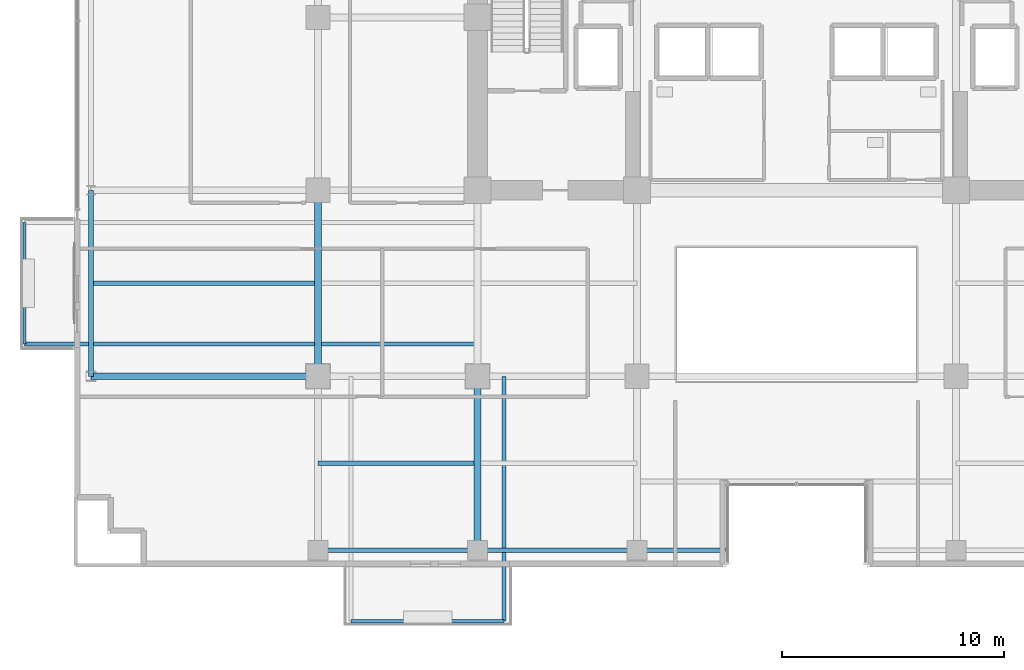
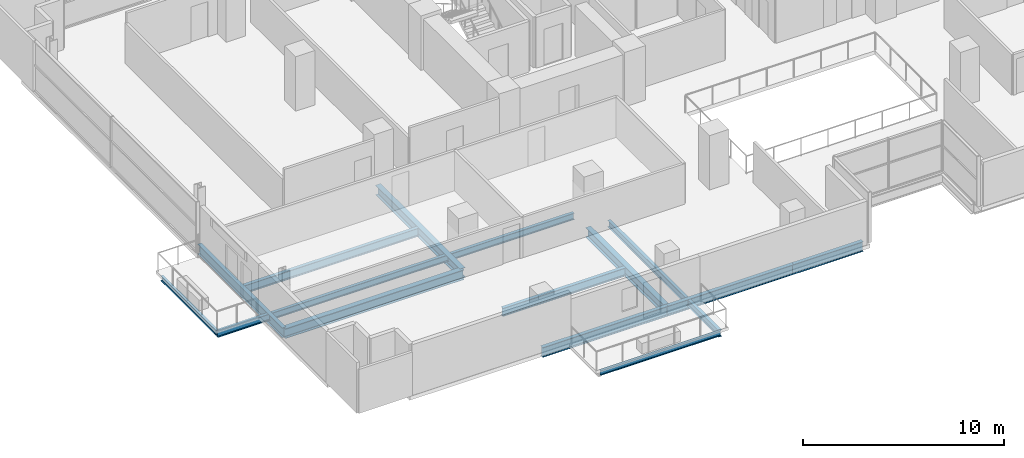
# One storey, part 2 of 30: 13 beams.
"""IFC4 building model written with IfcOpenShell, lengths in metres."""

import ifcopenshell
import ifcopenshell.guid

model = None  # the IFC model being written
_history = None  # IfcOwnerHistory: only IFC2X3 demands one
_inside = {}  # id of a spatial element -> (the spatial element, [elements in it])
_under = {}  # id of a project, library or spatial element -> (it, [spatial elements below it])
_declared = {}  # id of a project -> (the project, [libraries it declares])
_typed = {}  # id of a type object -> (the type object, [elements of that type])
_made_of = {}  # id of a material, layer set ... -> (it, [elements and type objects made of it])


def new_model(schema):
    """Start an empty IFC model of exactly this schema.

    Asked for "IFC4X3", IfcOpenShell would pick the latest addendum, in which some entities
    have other attributes; the version numbers below select the first issue.
    IFC2X3 requires an IfcOwnerHistory on every rooted entity: one is made here for all.
    """
    global model, _history
    if schema == "IFC4X3":
        model = ifcopenshell.file(schema_version=(4, 3, 0, 0))
    else:
        model = ifcopenshell.file(schema=schema)
    _inside.clear()
    _under.clear()
    _declared.clear()
    _typed.clear()
    _made_of.clear()
    _history = None
    if model.schema == "IFC2X3":
        org = make("IfcOrganization", Name="unknown")
        user = make(
            "IfcPersonAndOrganization",
            ThePerson=make("IfcPerson", FamilyName="unknown"),
            TheOrganization=org,
        )
        app = make(
            "IfcApplication",
            ApplicationDeveloper=org,
            Version="unknown",
            ApplicationFullName="unknown",
            ApplicationIdentifier="unknown",
        )
        _history = make(
            "IfcOwnerHistory",
            OwningUser=user,
            OwningApplication=app,
            ChangeAction="ADDED",
            CreationDate=0,
        )
    return model


def make(cls, **values):
    """One entity of the class cls with the attributes given. An attribute that is None is left unset."""
    return model.create_entity(
        cls, **{name: value for name, value in values.items() if value is not None}
    )


def rooted(cls, **values):
    """An entity with a GlobalId (a new one), such as an element, a storey or a relation."""
    return make(cls, GlobalId=ifcopenshell.guid.new(), OwnerHistory=_history, **values)


def si_unit(unit_type, name, prefix=None):
    """IfcSIUnit, for example si_unit("LENGTHUNIT", "METRE", prefix="MILLI")."""
    return make("IfcSIUnit", UnitType=unit_type, Prefix=prefix, Name=name)


def assignment(units):
    """IfcUnitAssignment: the units of a project."""
    return None if units is None else make("IfcUnitAssignment", Units=units)


def point(xyz):
    """IfcCartesianPoint."""
    return None if xyz is None else make("IfcCartesianPoint", Coordinates=xyz)


def direction(xyz):
    """IfcDirection."""
    return None if xyz is None else make("IfcDirection", DirectionRatios=xyz)


def frame(location, z_axis=None, x_axis=None):
    """IfcAxis2Placement3D, a coordinate frame: its origin and axes. An axis left out is left unset."""
    return make(
        "IfcAxis2Placement3D",
        Location=point(location),
        Axis=direction(z_axis),
        RefDirection=direction(x_axis),
    )


def frame_2d(location, x_axis=None):
    """IfcAxis2Placement2D, a coordinate frame in the plane: its origin and x axis."""
    return make(
        "IfcAxis2Placement2D", Location=point(location), RefDirection=direction(x_axis)
    )


def origin():
    """The frame at (0, 0, 0) with its axes left unset."""
    return frame((0.0, 0.0, 0.0))


def origin_2d():
    """The frame at (0, 0) in the plane with its x axis left unset."""
    return frame_2d((0.0, 0.0))


def place(relative_to, where):
    """IfcLocalPlacement: puts the frame where relative to a parent placement (None: the world)."""
    return make(
        "IfcLocalPlacement", PlacementRelTo=relative_to, RelativePlacement=where
    )


def context(
    kind, dimensions, precision=None, world=None, true_north=None, identifier=None
):
    """IfcGeometricRepresentationContext, for example the 3D "Model" context."""
    return make(
        "IfcGeometricRepresentationContext",
        ContextIdentifier=identifier,
        ContextType=kind,
        CoordinateSpaceDimension=dimensions,
        Precision=precision,
        WorldCoordinateSystem=world,
        TrueNorth=true_north,
    )


def subcontext(parent, identifier, kind, view, scale=None):
    """IfcGeometricRepresentationSubContext, for example "Body" below "Model"."""
    return make(
        "IfcGeometricRepresentationSubContext",
        ContextIdentifier=identifier,
        ContextType=kind,
        ParentContext=parent,
        TargetScale=scale,
        TargetView=view,
    )


def project(units=None, contexts=None):
    """IfcProject with its units and contexts."""
    return rooted(
        "IfcProject",
        Name="project",
        RepresentationContexts=contexts,
        UnitsInContext=assignment(units),
    )


def spatial(cls, under=None, at=None, **own):
    """A site, building, storey or space (cls), placed at a placement, below another one or the project."""
    s = rooted(cls, ObjectPlacement=at, **own)
    if under is not None:
        _under.setdefault(under.id(), (under, []))[1].append(s)
    return s


def profile(cls, at=None, kind="AREA", **sizes):
    """A parametric profile (cls). Its sizes go by their IFC names, for example OverallWidth=200.0."""
    return make(cls, ProfileType=kind, Position=at, **sizes)


def i_section(**sizes):
    """IfcIShapeProfileDef."""
    return profile("IfcIShapeProfileDef", **sizes)


def extrude(swept, where, along, depth):
    """IfcExtrudedAreaSolid: the profile swept, set in the frame where, extruded along a direction by depth."""
    return make(
        "IfcExtrudedAreaSolid",
        SweptArea=swept,
        Position=where,
        ExtrudedDirection=direction(along),
        Depth=depth,
    )


def shape(context_of_items, identifier, shape_type, items):
    """IfcShapeRepresentation: the items that make up one representation, for example the "Body"."""
    return make(
        "IfcShapeRepresentation",
        ContextOfItems=context_of_items,
        RepresentationIdentifier=identifier,
        RepresentationType=shape_type,
        Items=items,
    )


def material(Name=None, Category=None):
    """IfcMaterial."""
    return make("IfcMaterial", Name=Name, Category=Category)


def material_profile(
    of_material, cross_section, Name=None, Category=None, Priority=None
):
    """IfcMaterialProfile: a cross section and its material."""
    return make(
        "IfcMaterialProfile",
        Name=Name,
        Material=of_material,
        Profile=cross_section,
        Priority=Priority,
        Category=Category,
    )


def profile_set(profiles, Name=None, composite=None):
    """IfcMaterialProfileSet."""
    return make(
        "IfcMaterialProfileSet",
        Name=Name,
        MaterialProfiles=profiles,
        CompositeProfile=composite,
    )


def made_of(thing, what):
    """Note that an element or type object is made of a material, layer set ...; save() writes the relation."""
    if what is not None:
        _made_of.setdefault(what.id(), (what, []))[1].append(thing)
    return thing


def type_object(cls, material=None, **own):
    """A type object (cls), such as IfcWallType, which elements share."""
    return made_of(rooted(cls, **own), material)


def element(
    cls,
    number,
    at=None,
    inside=None,
    cuts=None,
    type_object=None,
    material=None,
    context=None,
    identifier="Body",
    shape_type=None,
    held_by="IfcProductDefinitionShape",
    body=None,
    shapes=None,
    **own,
):
    """One element of the class cls, such as IfcWall. Its Tag is "e" and its number.

    at: its placement. inside: the storey or other place that contains it. cuts: it is an
    opening in that element (IfcRelVoidsElement). A single representation is given by context,
    identifier, shape_type and body (its items); several are given by shapes. held_by: the class
    of the entity that holds the representations. save() writes the other relations.
    """
    e = rooted(cls, Tag="e%d" % number, ObjectPlacement=at, **own)
    if body is not None:
        shapes = [shape(context, identifier, shape_type, body)]
    if shapes is not None:
        e.Representation = make(held_by, Representations=shapes)
    if inside is not None:
        _inside.setdefault(inside.id(), (inside, []))[1].append(e)
    if cuts is not None:
        rooted(
            "IfcRelVoidsElement", RelatingBuildingElement=cuts, RelatedOpeningElement=e
        )
    if type_object is not None:
        _typed.setdefault(type_object.id(), (type_object, []))[1].append(e)
    return made_of(e, material)


def aggregate(whole, parts):
    """IfcRelAggregates: a whole, such as a stair, and the parts it consists of."""
    return rooted("IfcRelAggregates", RelatingObject=whole, RelatedObjects=parts)


def save(model, path):
    """Write the relations noted so far, then the file.

    IfcRelAggregates (storeys below a building ...), IfcRelContainedInSpatialStructure (elements
    in a storey), IfcRelDefinesByType, IfcRelAssociatesMaterial and IfcRelDeclares: one each for
    every whole, place, type object, material and project.
    """
    for whole, parts in _under.values():
        aggregate(whole, parts)
    for where, things in _inside.values():
        rooted(
            "IfcRelContainedInSpatialStructure",
            RelatedElements=things,
            RelatingStructure=where,
        )
    for kind, things in _typed.values():
        rooted("IfcRelDefinesByType", RelatedObjects=things, RelatingType=kind)
    for what, things in _made_of.values():
        rooted("IfcRelAssociatesMaterial", RelatedObjects=things, RelatingMaterial=what)
    for by, libraries in _declared.values():
        rooted("IfcRelDeclares", RelatingContext=by, RelatedDefinitions=libraries)
    model.write(path)


model = new_model("IFC4")

# Units and contexts
model_context = context("Model", 3, precision=1e-05, world=origin(), true_north=direction((0.0, 1.0)))
body_context = subcontext(model_context, "Body", "Model", "MODEL_VIEW")
ifc_project = project(units=[si_unit("LENGTHUNIT", "METRE"), si_unit("AREAUNIT", "SQUARE_METRE"), si_unit("VOLUMEUNIT", "CUBIC_METRE"), si_unit("PLANEANGLEUNIT", "RADIAN"), si_unit("MASSUNIT", "GRAM", prefix="KILO")], contexts=[model_context])

# Site, building, storey
site_placement = place(None, origin())
site = spatial("IfcSite", under=ifc_project, at=site_placement, CompositionType="ELEMENT")
building_placement = place(site_placement, origin())
building = spatial("IfcBuilding", under=site, at=building_placement, Name="Zarnakvel Exchange Tower", CompositionType="ELEMENT")
storey_placement = place(building_placement, frame((0.0, 0.0, 40.60009765625)))
storey = spatial("IfcBuildingStorey", under=building, at=storey_placement, Name="L10", CompositionType="ELEMENT", Elevation=40.60009765625)

# Beams
ifc_material = material(Name="Steel S355", Category="steel")
ifc_material_profile_1 = material_profile(ifc_material, i_section(OverallWidth=0.199951171875, OverallDepth=0.5, WebThickness=0.01025390625, FlangeThickness=0.01611328125, FilletRadius=0.02099609375, at=origin_2d()))
ifc_profile_set_1 = profile_set([ifc_material_profile_1], Name="Steel S355")
beam_type_1 = type_object("IfcBeamType", Name="B-04", PredefinedType="JOIST", material=ifc_profile_set_1)
beam_1_placement = place(storey_placement, frame((-21.60009765625, -13.52490234375, -0.47509765625), z_axis=(1.0, 0.0, 0.0), x_axis=(0.0, 1.0, 0.0)))
element("IfcBeam", 1, at=beam_1_placement, inside=storey, type_object=beam_type_1, Name="L10 Composite Floor Secondary Joist", PredefinedType="JOIST", context=body_context, shape_type="SweptSolid", body=[
    extrude(i_section(OverallWidth=0.199951171875, OverallDepth=0.5, WebThickness=0.01025390625, FlangeThickness=0.01611328125, FilletRadius=0.02099609375, at=origin_2d()), origin(), (0.0, 0.0, 1.0), 7.050048828125),
])
beam_2_placement = place(storey_placement, frame((-31.85009765625, -5.39990234375, -0.47509765625), z_axis=(1.0, 0.0, 0.0), x_axis=(0.0, 1.0, 0.0)))
element("IfcBeam", 2, at=beam_2_placement, inside=storey, type_object=beam_type_1, Name="L10 Composite Floor Secondary Joist", PredefinedType="JOIST", context=body_context, shape_type="SweptSolid", body=[
    extrude(i_section(OverallWidth=0.199951171875, OverallDepth=0.5, WebThickness=0.01025390625, FlangeThickness=0.01611328125, FilletRadius=0.02099609375, at=origin_2d()), origin(), (0.0, 0.0, 1.0), 10.10009765625),
])
ifc_material_profile_2 = material_profile(ifc_material, i_section(OverallWidth=0.179931640625, OverallDepth=0.39990234375, WebThickness=0.008544921875, FlangeThickness=0.013427734375, FilletRadius=0.02099609375, at=origin_2d()))
ifc_profile_set_2 = profile_set([ifc_material_profile_2], Name="Steel S355")
beam_type_2 = type_object("IfcBeamType", Name="B-06", PredefinedType="JOIST", material=ifc_profile_set_2)
beam_3_placement = place(storey_placement, frame((-13.199951171875, -9.60009765625, -0.425048828125), z_axis=(0.0, -1.0, 0.0), x_axis=(1.0, 0.0, 0.0)))
element("IfcBeam", 3, at=beam_3_placement, inside=storey, type_object=beam_type_2, Name="L10 Continuous Back-Spanned Balcony Beam E", PredefinedType="JOIST", context=body_context, shape_type="SweptSolid", body=[
    extrude(i_section(OverallWidth=0.179931640625, OverallDepth=0.39990234375, WebThickness=0.008544921875, FlangeThickness=0.013427734375, FilletRadius=0.02099609375, at=origin_2d()), origin(), (0.0, 0.0, 1.0), 11.0498046875),
])
beam_4_placement = place(storey_placement, frame((-14.39990234375, -8.14990234375, -0.425048828125), z_axis=(-1.0, 0.0, 0.0), x_axis=(0.0, -1.0, 0.0)))
element("IfcBeam", 4, at=beam_4_placement, inside=storey, type_object=beam_type_2, Name="L10 Continuous West Loggia Beam S", PredefinedType="JOIST", context=body_context, shape_type="SweptSolid", body=[
    extrude(i_section(OverallWidth=0.179931640625, OverallDepth=0.39990234375, WebThickness=0.008544921875, FlangeThickness=0.013427734375, FilletRadius=0.02099609375, at=origin_2d()), origin(), (0.0, 0.0, 1.0), 20.4501953125),
])
ifc_material_profile_3 = material_profile(ifc_material, i_section(OverallWidth=0.14990234375, OverallDepth=0.300048828125, WebThickness=0.007080078125, FlangeThickness=0.0107421875, FilletRadius=0.014892578125, at=origin_2d()))
ifc_profile_set_3 = profile_set([ifc_material_profile_3], Name="Steel S355")
beam_type_3 = type_object("IfcBeamType", Name="B-08", PredefinedType="JOIST", material=ifc_profile_set_3)
beam_5_placement = place(storey_placement, frame((-20.10009765625, -20.64990234375, -0.375), z_axis=(1.0, 0.0, 0.0), x_axis=(0.0, 1.0, 0.0)))
element("IfcBeam", 5, at=beam_5_placement, inside=storey, type_object=beam_type_3, Name="L10 Balcony Edge Beam", PredefinedType="JOIST", context=body_context, shape_type="SweptSolid", body=[
    extrude(i_section(OverallWidth=0.14990234375, OverallDepth=0.300048828125, WebThickness=0.007080078125, FlangeThickness=0.0107421875, FilletRadius=0.014892578125, at=origin_2d()), origin(), (0.0, 0.0, 1.0), 6.900146484375),
])
beam_6_placement = place(storey_placement, frame((-34.85009765625, -8.14990234375, -0.375), z_axis=(0.0, 1.0, 0.0), x_axis=(-1.0, 0.0, 0.0)))
element("IfcBeam", 6, at=beam_6_placement, inside=storey, type_object=beam_type_3, Name="L10 West Loggia Edge Beam", PredefinedType="JOIST", context=body_context, shape_type="SweptSolid", body=[
    extrude(i_section(OverallWidth=0.14990234375, OverallDepth=0.300048828125, WebThickness=0.007080078125, FlangeThickness=0.0107421875, FilletRadius=0.014892578125, at=origin_2d()), origin(), (0.0, 0.0, 1.0), 5.5),
])
ifc_material_profile_4 = material_profile(ifc_material, i_section(OverallWidth=0.300048828125, OverallDepth=0.60009765625, WebThickness=0.015380859375, FlangeThickness=0.030029296875, FilletRadius=0.027099609375, at=origin_2d()))
ifc_profile_set_4 = profile_set([ifc_material_profile_4], Name="Steel S355")
beam_type_4 = type_object("IfcBeamType", Name="G-04", PredefinedType="BEAM", material=ifc_profile_set_4)
beam_7_placement = place(storey_placement, frame((-31.85009765625, -9.60009765625, -0.525146484375), z_axis=(1.0, 0.0, 0.0), x_axis=(0.0, 1.0, 0.0)))
element("IfcBeam", 7, at=beam_7_placement, inside=storey, type_object=beam_type_4, Name="L10 Tower E-W Frame Beam", PredefinedType="BEAM", context=body_context, shape_type="SweptSolid", body=[
    extrude(i_section(OverallWidth=0.300048828125, OverallDepth=0.60009765625, WebThickness=0.015380859375, FlangeThickness=0.030029296875, FilletRadius=0.027099609375, at=origin_2d()), origin(), (0.0, 0.0, 1.0), 10.25),
])
beam_8_placement = place(storey_placement, frame((-21.60009765625, -9.60009765625, -0.525146484375), z_axis=(0.0, 1.0, 0.0), x_axis=(-1.0, 0.0, 0.0)))
element("IfcBeam", 8, at=beam_8_placement, inside=storey, type_object=beam_type_4, Name="L10 Tower N-S Frame Beam", PredefinedType="BEAM", context=body_context, shape_type="SweptSolid", body=[
    extrude(i_section(OverallWidth=0.300048828125, OverallDepth=0.60009765625, WebThickness=0.015380859375, FlangeThickness=0.030029296875, FilletRadius=0.027099609375, at=origin_2d()), origin(), (0.0, 0.0, 1.0), 8.400146484375),
])
beam_9_placement = place(storey_placement, frame((-14.39990234375, -17.449951171875, -0.525146484375), z_axis=(0.0, 1.0, 0.0), x_axis=(-1.0, 0.0, 0.0)))
element("IfcBeam", 9, at=beam_9_placement, inside=storey, type_object=beam_type_4, Name="L10 Tower N-S Frame Beam", PredefinedType="BEAM", context=body_context, shape_type="SweptSolid", body=[
    extrude(i_section(OverallWidth=0.300048828125, OverallDepth=0.60009765625, WebThickness=0.015380859375, FlangeThickness=0.030029296875, FilletRadius=0.027099609375, at=origin_2d()), origin(), (0.0, 0.0, 1.0), 7.849853515625),
])
ifc_material_profile_5 = material_profile(ifc_material, i_section(OverallWidth=0.219970703125, OverallDepth=0.60009765625, WebThickness=0.011962890625, FlangeThickness=0.01904296875, FilletRadius=0.02392578125, at=origin_2d()))
ifc_profile_set_5 = profile_set([ifc_material_profile_5], Name="Steel S355")
beam_type_5 = type_object("IfcBeamType", Name="SP-01", PredefinedType="SPANDREL", material=ifc_profile_set_5)
beam_10_placement = place(storey_placement, frame((-21.60009765625, -17.449951171875, -0.525146484375), z_axis=(1.0, 0.0, 0.0), x_axis=(0.0, 1.0, 0.0)))
element("IfcBeam", 10, at=beam_10_placement, inside=storey, type_object=beam_type_5, Name="L10 Tower E-W Frame Beam", PredefinedType="SPANDREL", context=body_context, shape_type="SweptSolid", body=[
    extrude(i_section(OverallWidth=0.219970703125, OverallDepth=0.60009765625, WebThickness=0.011962890625, FlangeThickness=0.01904296875, FilletRadius=0.02392578125, at=origin_2d()), origin(), (0.0, 0.0, 1.0), 7.2001953125),
])
beam_11_placement = place(storey_placement, frame((-14.39990234375, -17.449951171875, -0.525146484375), z_axis=(1.0, 0.0, 0.0), x_axis=(0.0, 1.0, 0.0)))
element("IfcBeam", 11, at=beam_11_placement, inside=storey, type_object=beam_type_5, Name="L10 Tower E-W Frame Beam", PredefinedType="SPANDREL", context=body_context, shape_type="SweptSolid", body=[
    extrude(i_section(OverallWidth=0.219970703125, OverallDepth=0.60009765625, WebThickness=0.011962890625, FlangeThickness=0.01904296875, FilletRadius=0.02392578125, at=origin_2d()), origin(), (0.0, 0.0, 1.0), 7.199951171875),
])
beam_12_placement = place(storey_placement, frame((-7.199951171875, -17.449951171875, -0.525146484375), z_axis=(1.0, 0.0, 0.0), x_axis=(0.0, 1.0, 0.0)))
element("IfcBeam", 12, at=beam_12_placement, inside=storey, type_object=beam_type_5, Name="L10 South Slot West Jamb Spandrel", PredefinedType="SPANDREL", context=body_context, shape_type="SweptSolid", body=[
    extrude(i_section(OverallWidth=0.219970703125, OverallDepth=0.60009765625, WebThickness=0.011962890625, FlangeThickness=0.01904296875, FilletRadius=0.02392578125, at=origin_2d()), origin(), (0.0, 0.0, 1.0), 4.0),
])
beam_13_placement = place(storey_placement, frame((-31.85009765625, -9.60009765625, -0.525146484375), z_axis=(0.0, 1.0, 0.0), x_axis=(-1.0, 0.0, 0.0)))
element("IfcBeam", 13, at=beam_13_placement, inside=storey, type_object=beam_type_5, Name="L10 Tower N-S Frame Beam", PredefinedType="SPANDREL", context=body_context, shape_type="SweptSolid", body=[
    extrude(i_section(OverallWidth=0.219970703125, OverallDepth=0.60009765625, WebThickness=0.011962890625, FlangeThickness=0.01904296875, FilletRadius=0.02392578125, at=origin_2d()), origin(), (0.0, 0.0, 1.0), 8.400146484375),
])

save(model, "model.ifc")
